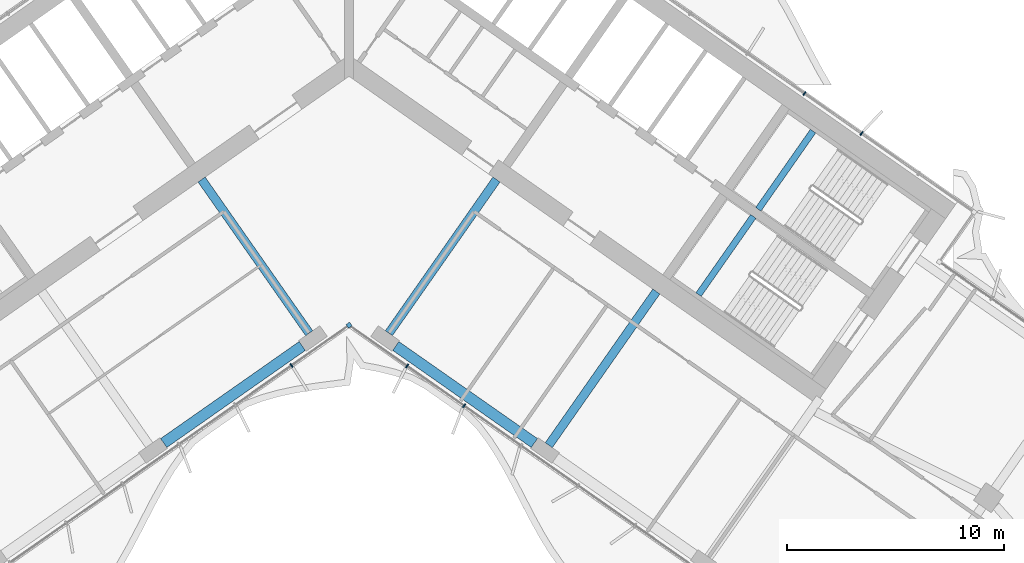
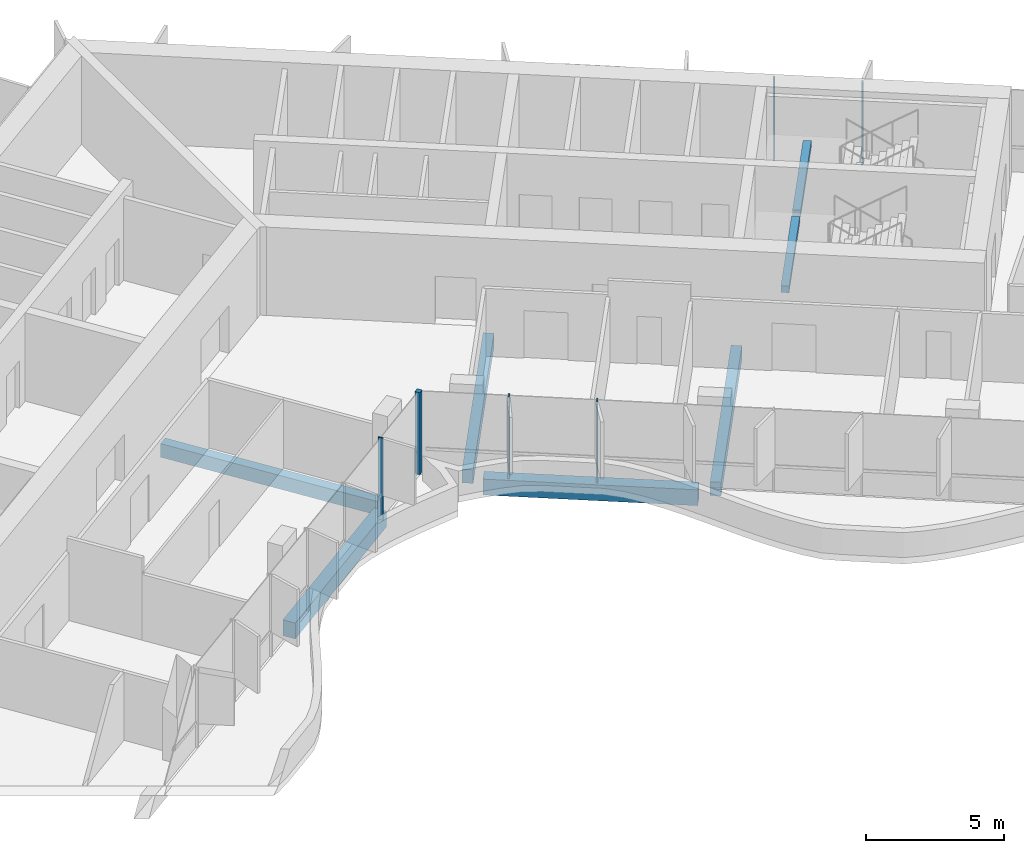
# One storey, part 6 of 21: 7 beams, 6 members, 2 elements without a shape of their own.
"""IFC4 building model written with IfcOpenShell, lengths in metres."""

from ifc_helpers import new_model, si_unit, direction, frame, origin, origin_2d, place, context, subcontext, project, spatial, rectangle, extrude, material, material_profile, profile_set, type_object, element, aggregate, save


model = new_model("IFC4")

# Units and contexts
model_context = context("Model", 3, precision=1e-05, world=origin(), true_north=direction((0.0, 1.0)))
body_context = subcontext(model_context, "Body", "Model", "MODEL_VIEW")
ifc_project = project(units=[si_unit("LENGTHUNIT", "METRE"), si_unit("AREAUNIT", "SQUARE_METRE"), si_unit("VOLUMEUNIT", "CUBIC_METRE"), si_unit("PLANEANGLEUNIT", "RADIAN"), si_unit("MASSUNIT", "GRAM", prefix="KILO")], contexts=[model_context])

# Site, building, storey
site_placement = place(None, origin())
site = spatial("IfcSite", under=ifc_project, at=site_placement, CompositionType="ELEMENT")
building_placement = place(site_placement, origin())
building = spatial("IfcBuilding", under=site, at=building_placement, Name="Tel Ilan Convention Tower", CompositionType="ELEMENT")
storey_placement = place(building_placement, frame((0.0, 0.0, 163.199951171875)))
storey = spatial("IfcBuildingStorey", under=building, at=storey_placement, Name="L37", CompositionType="ELEMENT", Elevation=163.199951171875)

# Beams
ifc_material_1 = material(Name="Concrete C40/50", Category="concrete")
ifc_material_profile_1 = material_profile(ifc_material_1, rectangle(XDim=0.39990234375, YDim=0.60009765625, at=origin_2d()), Name="RC 400x600")
ifc_profile_set_1 = profile_set([ifc_material_profile_1], Name="Concrete C40/50")
beam_type_1 = type_object("IfcBeamType", Name="Beam RC 400x600 Concrete C40/50", PredefinedType="BEAM", material=ifc_profile_set_1)
for number, where, z_axis, x_axis, name in (
    (1, (-1.83740234375, -13.06689453125, -0.579833984375), (-0.573574099654, 0.819153680457, 0.0), (-0.819153680457, -0.573574099654, 0.0), "L37 beam W-W-F1-core"),
    (2, (1.83740234375, -13.06689453125, -0.579833984375), (0.573574099654, 0.819153680457, 0.0), (-0.819153680457, 0.573574099654, 0.0), "L37 beam E-E-F1-core"),
    (3, (9.209716796875, -18.229248046875, -0.579833984375), (0.573574099654, 0.819153680457, 0.0), (-0.819153680457, 0.573574099654, 0.0), "L37 beam E-E-F2-core"),
):
    element("IfcBeam", number, at=place(storey_placement, frame(where, z_axis=z_axis, x_axis=x_axis)), inside=storey, type_object=beam_type_1, Name=name, PredefinedType="BEAM", context=body_context, shape_type="SweptSolid", body=[
        extrude(rectangle(XDim=0.39990234375, YDim=0.60009765625, at=origin_2d()), origin(), (0.0, 0.0, 1.0), 8.64990234375),
    ])
ifc_material_2 = material(Name="Concrete C40/50", Category="concrete")
ifc_material_profile_2 = material_profile(ifc_material_2, rectangle(XDim=0.5, YDim=0.699951171875, at=origin_2d()), Name="RC 500x700")
ifc_profile_set_2 = profile_set([ifc_material_profile_2], Name="Concrete C40/50")
beam_type_2 = type_object("IfcBeamType", Name="Beam RC 500x700 Concrete C40/50", PredefinedType="BEAM", material=ifc_profile_set_2)
for number, where, z_axis, x_axis, name in (
    (4, (-2.15673828125, -13.656982421875, -0.6298828125), (-0.819153977895, -0.573573674866, 0.0), (0.573573674866, -0.819153977895, 0.0), "L37 beam W-W-F1-W-F2"),
    (5, (2.15673828125, -13.656982421875, -0.6298828125), (0.819153977895, -0.573573674866, 0.0), (0.573573674866, 0.819153977895, 0.0), "L37 beam E-E-F1-E-F2"),
):
    element("IfcBeam", number, at=place(storey_placement, frame(where, z_axis=z_axis, x_axis=x_axis)), inside=storey, type_object=beam_type_2, Name=name, PredefinedType="BEAM", context=body_context, shape_type="SweptSolid", body=[
        extrude(rectangle(XDim=0.5, YDim=0.699951171875, at=origin_2d()), origin(), (0.0, 0.0, 1.0), 7.800048828125),
    ])

# Curtain wall, member
ifc_material_3 = material(Name="Aluminium, bronze anodised", Category="aluminium")
curtain_wall_type_1 = type_object("IfcCurtainWallType", Name="CW4 STICK CURTAIN WALL, OFFICE TINTED GLASS", PredefinedType="NOTDEFINED", material=ifc_material_3)
curtain_wall_1_placement = place(storey_placement, origin())
curtain_wall_1 = element("IfcCurtainWall", 6, at=curtain_wall_1_placement, inside=storey, type_object=curtain_wall_type_1, Name="Curtain wall CW4-29.02", PredefinedType="NOTDEFINED")
ifc_material_4 = material(Name="Aluminium, bronze anodised", Category="aluminium")
ifc_material_profile_3 = material_profile(ifc_material_4, rectangle(XDim=0.199951171875, YDim=0.199951171875, at=origin_2d()), Name="CW CORNER MULLION 200x200")
ifc_profile_set_3 = profile_set([ifc_material_profile_3], Name="Aluminium, bronze anodised")
member_type_1 = type_object("IfcMemberType", Name="CW CORNER MULLION 200x200", PredefinedType="MULLION", material=ifc_profile_set_3)
member_1_placement = place(storey_placement, frame((0.0, -12.696044921875, 0.0), z_axis=(0.0, 0.0, 1.0), x_axis=(0.819152044289, 0.573576436351, 0.0)))
member_1 = element("IfcMember", 7, at=member_1_placement, type_object=member_type_1, Name="Corner mullion", PredefinedType="MULLION", context=body_context, shape_type="SweptSolid", body=[
    extrude(rectangle(XDim=0.199951171875, YDim=0.199951171875, at=origin_2d()), origin(), (0.0, 0.0, 1.0), 3.6201171875),
])

# Curtain wall, members
ifc_material_5 = material(Name="Aluminium, bronze anodised", Category="aluminium")
curtain_wall_type_2 = type_object("IfcCurtainWallType", Name="CW2 STICK CURTAIN WALL, SPANDREL PANELS", PredefinedType="NOTDEFINED", material=ifc_material_5)
curtain_wall_2_placement = place(storey_placement, origin())
curtain_wall_2 = element("IfcCurtainWall", 8, at=curtain_wall_2_placement, inside=storey, type_object=curtain_wall_type_2, Name="Curtain wall CW2-29.01", PredefinedType="NOTDEFINED")
ifc_material_6 = material(Name="Aluminium, bronze anodised", Category="aluminium")
ifc_material_profile_4 = material_profile(ifc_material_6, rectangle(XDim=0.06005859375, YDim=0.199951171875, at=origin_2d()), Name="CW MULLION 60x200")
ifc_profile_set_4 = profile_set([ifc_material_profile_4], Name="Aluminium, bronze anodised")
member_type_2 = type_object("IfcMemberType", Name="CW MULLION 60x200", PredefinedType="MULLION", material=ifc_profile_set_4)
member_2_placement = place(storey_placement, frame((23.63623046875, -3.854248046875, 0.0), z_axis=(0.0, 0.0, 1.0), x_axis=(-0.819152044289, 0.573576436351, 0.0)))
member_2 = element("IfcMember", 9, at=member_2_placement, type_object=member_type_2, Name="Mullion", PredefinedType="MULLION", context=body_context, shape_type="SweptSolid", body=[
    extrude(rectangle(XDim=0.06005859375, YDim=0.199951171875, at=origin_2d()), origin(), (0.0, 0.0, 1.0), 3.6201171875),
])
member_3_placement = place(storey_placement, frame((21.003662109375, -2.0107421875, 0.0), z_axis=(0.0, 0.0, 1.0), x_axis=(-0.819152044289, 0.573576436351, 0.0)))
member_3 = element("IfcMember", 10, at=member_3_placement, type_object=member_type_2, Name="Mullion", PredefinedType="MULLION", context=body_context, shape_type="SweptSolid", body=[
    extrude(rectangle(XDim=0.06005859375, YDim=0.199951171875, at=origin_2d()), origin(), (0.0, 0.0, 1.0), 3.6201171875),
])
aggregate(curtain_wall_2, [member_2, member_3])

# Member
member_4_placement = place(storey_placement, frame((-2.65234375, -14.55322265625, 0.0), z_axis=(0.0, 0.0, 1.0), x_axis=(0.819152044289, 0.573576436351, 0.0)))
member_4 = element("IfcMember", 11, at=member_4_placement, type_object=member_type_2, Name="Mullion", PredefinedType="MULLION", context=body_context, shape_type="SweptSolid", body=[
    extrude(rectangle(XDim=0.06005859375, YDim=0.199951171875, at=origin_2d()), origin(), (0.0, 0.0, 1.0), 3.6201171875),
])

member_5_placement = place(storey_placement, frame((2.6826171875, -14.574462890625, 0.0), z_axis=(0.0, 0.0, 1.0), x_axis=(0.819152044289, -0.573576436351, 0.0)))
member_5 = element("IfcMember", 12, at=member_5_placement, type_object=member_type_2, Name="Mullion", PredefinedType="MULLION", context=body_context, shape_type="SweptSolid", body=[
    extrude(rectangle(XDim=0.06005859375, YDim=0.199951171875, at=origin_2d()), origin(), (0.0, 0.0, 1.0), 3.6201171875),
])

member_6_placement = place(storey_placement, frame((5.307861328125, -16.41259765625, 0.0), z_axis=(0.0, 0.0, 1.0), x_axis=(0.819152044289, -0.573576436351, 0.0)))
member_6 = element("IfcMember", 13, at=member_6_placement, type_object=member_type_2, Name="Mullion", PredefinedType="MULLION", context=body_context, shape_type="SweptSolid", body=[
    extrude(rectangle(XDim=0.06005859375, YDim=0.199951171875, at=origin_2d()), origin(), (0.0, 0.0, 1.0), 3.6201171875),
])

aggregate(curtain_wall_1, [member_4, member_1, member_5, member_6])

# Beams
ifc_material_7 = material(Name="Concrete C40/50", Category="concrete")
ifc_material_profile_5 = material_profile(ifc_material_7, rectangle(XDim=0.300048828125, YDim=0.300048828125, at=origin_2d()), Name="RC 300x300")
ifc_profile_set_5 = profile_set([ifc_material_profile_5], Name="Concrete C40/50")
beam_type_3 = type_object("IfcBeamType", Name="Landing Beam RC 300x300 Concrete C40/50", PredefinedType="BEAM", material=ifc_profile_set_5)
beam_1_placement = place(storey_placement, frame((21.39404296875, -3.7490234375, 1.60009765625), z_axis=(-0.57354426506, -0.819174569928, 0.0), x_axis=(0.819174569928, -0.57354426506, 0.0)))
element("IfcBeam", 14, at=beam_1_placement, inside=storey, type_object=beam_type_3, Name="S3 landing beam L37.1", PredefinedType="BEAM", context=body_context, shape_type="SweptSolid", body=[
    extrude(rectangle(XDim=0.300048828125, YDim=0.300048828125, at=origin_2d()), origin(), (0.0, 0.0, 1.0), 4.400146484375),
])
beam_2_placement = place(storey_placement, frame((18.640869140625, -7.68115234375, 1.60009765625), z_axis=(-0.573570334442, -0.819156316858, 0.0), x_axis=(0.819156316858, -0.573570334442, 0.0)))
element("IfcBeam", 15, at=beam_2_placement, inside=storey, type_object=beam_type_3, Name="S4 landing beam L37.1", PredefinedType="BEAM", context=body_context, shape_type="SweptSolid", body=[
    extrude(rectangle(XDim=0.300048828125, YDim=0.300048828125, at=origin_2d()), origin(), (0.0, 0.0, 1.0), 4.39990234375),
])

save(model, "model.ifc")
